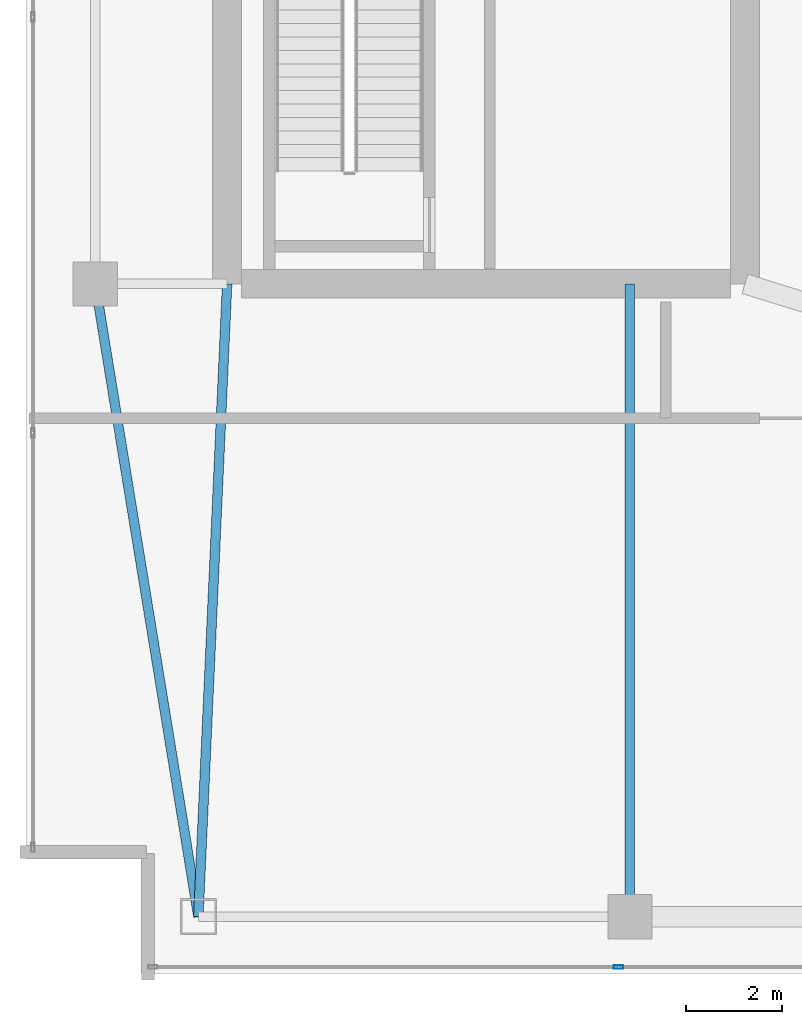
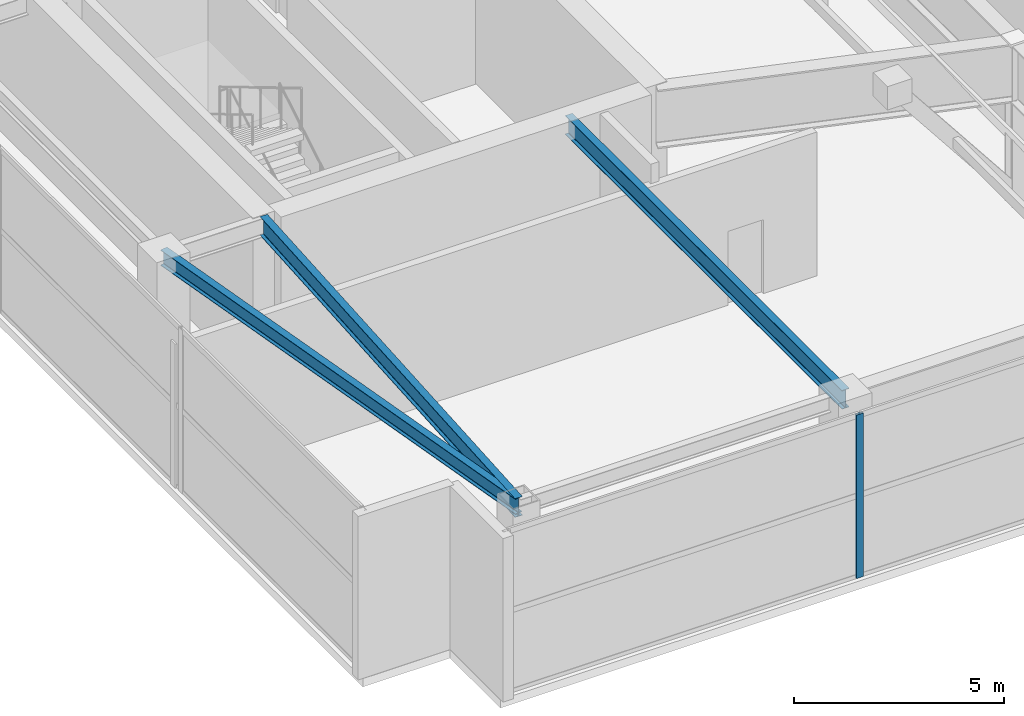
# One storey, part 4 of 20: 3 beams, 1 member, 1 element without a shape of its own.
"""IFC4 building model written with IfcOpenShell, lengths in metres."""

from ifc_helpers import new_model, si_unit, direction, frame, origin, origin_2d, place, context, subcontext, project, spatial, hollow_rectangle, i_section, extrude, material, layer, layer_set, material_profile, profile_set, type_object, element, aggregate, save


model = new_model("IFC4")

# Units and contexts
model_context = context("Model", 3, precision=1e-05, world=origin(), true_north=direction((0.0, 1.0)))
body_context = subcontext(model_context, "Body", "Model", "MODEL_VIEW")
ifc_project = project(units=[si_unit("LENGTHUNIT", "METRE"), si_unit("AREAUNIT", "SQUARE_METRE"), si_unit("VOLUMEUNIT", "CUBIC_METRE"), si_unit("PLANEANGLEUNIT", "RADIAN"), si_unit("MASSUNIT", "GRAM", prefix="KILO")], contexts=[model_context])

# Site, building, storey
site_placement = place(None, origin())
site = spatial("IfcSite", under=ifc_project, at=site_placement, CompositionType="ELEMENT")
building_placement = place(site_placement, origin())
building = spatial("IfcBuilding", under=site, at=building_placement, Name="Calvorn Quay Hotel", CompositionType="ELEMENT")
storey_placement = place(building_placement, frame((0.0, 0.0, 335.5)))
storey = spatial("IfcBuildingStorey", under=building, at=storey_placement, Name="L82", CompositionType="ELEMENT", Elevation=335.5)

# Beams
ifc_material_1 = material(Name="Steel Q355B", Category="steel")
ifc_material_profile_1 = material_profile(ifc_material_1, i_section(OverallWidth=0.199951171875, OverallDepth=0.550048828125, WebThickness=0.010009765625, FlangeThickness=0.01611328125, FilletRadius=0.01806640625, at=origin_2d()), Name="HN550x200x10x16")
ifc_profile_set_1 = profile_set([ifc_material_profile_1], Name="Steel Q355B")
beam_type_1 = type_object("IfcBeamType", Name="BM-GIRD-UPP", PredefinedType="BEAM", material=ifc_profile_set_1)
beam_1_placement = place(storey_placement, frame((3.60009765625, 3.60009765625, 4.465087890625), z_axis=(0.045396765494, 0.998969035397, 0.0), x_axis=(-0.998969035397, 0.045396765494, 0.0)))
element("IfcBeam", 1, at=beam_1_placement, inside=storey, type_object=beam_type_1, Name="Beam BG-L82-W0", PredefinedType="BEAM", context=body_context, shape_type="SweptSolid", body=[
    extrude(i_section(OverallWidth=0.199951171875, OverallDepth=0.550048828125, WebThickness=0.010009765625, FlangeThickness=0.01611328125, FilletRadius=0.01806640625, at=origin_2d()), origin(), (0.0, 0.0, 1.0), 13.213623046875),
])
beam_2_placement = place(storey_placement, frame((12.60009765625, 3.60009765625, 4.465087890625), z_axis=(0.0, 1.0, 0.0), x_axis=(-1.0, 0.0, 0.0)))
element("IfcBeam", 2, at=beam_2_placement, inside=storey, type_object=beam_type_1, Name="Beam BG-L82-CS1", PredefinedType="BEAM", context=body_context, shape_type="SweptSolid", body=[
    extrude(i_section(OverallWidth=0.199951171875, OverallDepth=0.550048828125, WebThickness=0.010009765625, FlangeThickness=0.01611328125, FilletRadius=0.01806640625, at=origin_2d()), origin(), (0.0, 0.0, 1.0), 13.199951171875),
])
ifc_material_2 = material(Name="Steel Q355B", Category="steel")
ifc_material_profile_2 = material_profile(ifc_material_2, i_section(OverallWidth=0.199951171875, OverallDepth=0.449951171875, WebThickness=0.009033203125, FlangeThickness=0.013916015625, FilletRadius=0.01611328125, at=origin_2d()), Name="HN450x200x9x14")
ifc_profile_set_2 = profile_set([ifc_material_profile_2], Name="Steel Q355B")
beam_type_2 = type_object("IfcBeamType", Name="BM-SPANDREL-Z3", PredefinedType="SPANDREL", material=ifc_profile_set_2)
beam_3_placement = place(storey_placement, frame((3.60009765625, 3.60009765625, 4.514892578125), z_axis=(-0.16077155054, 0.986991645627, 0.0), x_axis=(-0.986991645627, -0.16077155054, 0.0)))
element("IfcBeam", 3, at=beam_3_placement, inside=storey, type_object=beam_type_2, Name="Beam BSP-L82-W1", PredefinedType="SPANDREL", context=body_context, shape_type="SweptSolid", body=[
    extrude(i_section(OverallWidth=0.199951171875, OverallDepth=0.449951171875, WebThickness=0.009033203125, FlangeThickness=0.013916015625, FilletRadius=0.01611328125, at=origin_2d()), origin(), (0.0, 0.0, 1.0), 13.3740234375),
])

# Curtain wall, member
ifc_material_3 = material(Name="Pale Anodised Aluminium and Laminated Glass", Category="aluminium")
ifc_layer = layer(ifc_material_3, 0.219970703125)
ifc_layer_set = layer_set([ifc_layer], Name="CW-SYS-CRN")
curtain_wall_type = type_object("IfcCurtainWallType", Name="CW-SYS-CRN", PredefinedType="NOTDEFINED", material=ifc_layer_set)
curtain_wall_placement = place(storey_placement, origin())
curtain_wall = element("IfcCurtainWall", 4, at=curtain_wall_placement, inside=storey, type_object=curtain_wall_type, Name="Crown Curtain Wall L82-C1", PredefinedType="NOTDEFINED")
ifc_material_4 = material(Name="Pale Anodised Aluminium 6063-T6", Category="aluminium")
ifc_material_profile_3 = material_profile(ifc_material_4, hollow_rectangle(XDim=0.072021484375, YDim=0.195068359375, WallThickness=0.00390625, at=origin_2d()), Name="ALU-M195x72x4")
ifc_profile_set_3 = profile_set([ifc_material_profile_3], Name="Pale Anodised Aluminium 6063-T6")
member_type = type_object("IfcMemberType", Name="CW-SYS-CRN-MUL", PredefinedType="MULLION", material=ifc_profile_set_3)
member_placement = place(storey_placement, frame((12.366455078125, 2.550048828125, 0.0), z_axis=(0.0, 0.0, 1.0), x_axis=(0.0, 1.0, 0.0)))
member = element("IfcMember", 5, at=member_placement, type_object=member_type, Name="CW-L82-C1 mullion 2", PredefinedType="MULLION", context=body_context, shape_type="SweptSolid", body=[
    extrude(hollow_rectangle(XDim=0.072021484375, YDim=0.195068359375, WallThickness=0.00390625, at=origin_2d()), origin(), (0.0, 0.0, 1.0), 4.760009765625),
])
aggregate(curtain_wall, [member])

save(model, "model.ifc")
